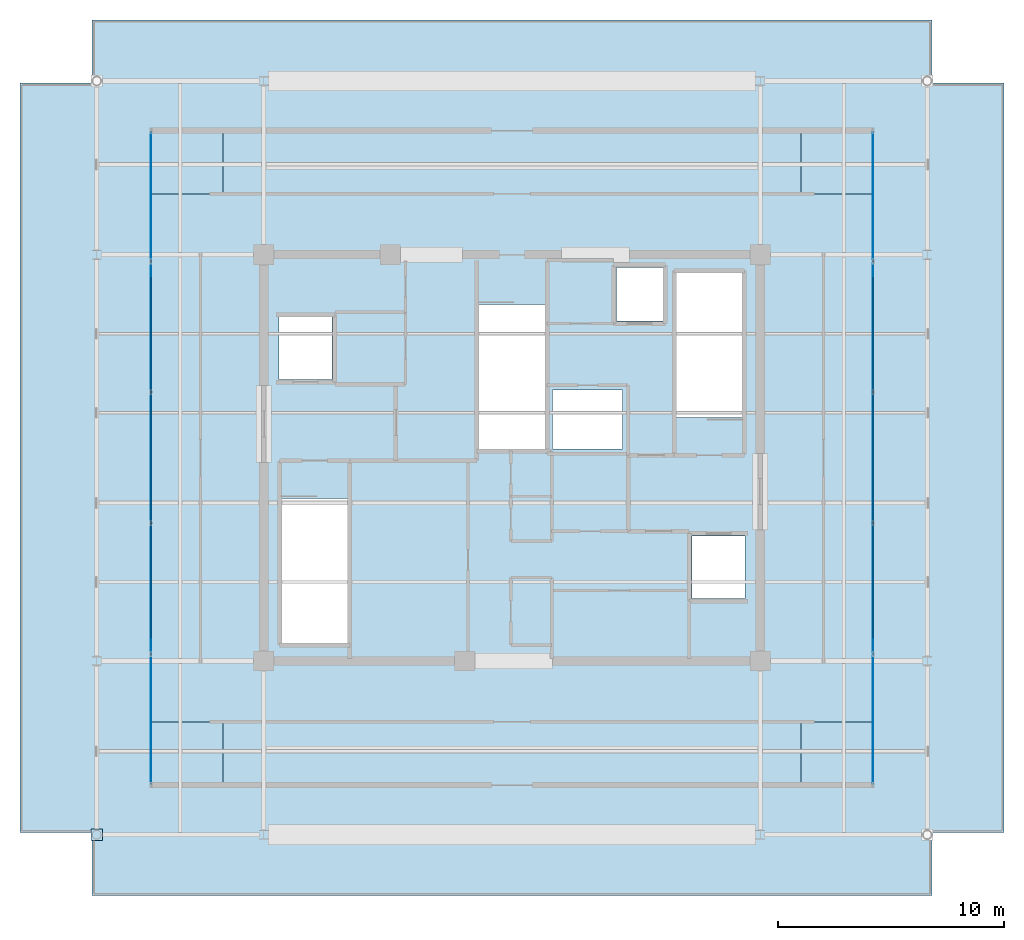
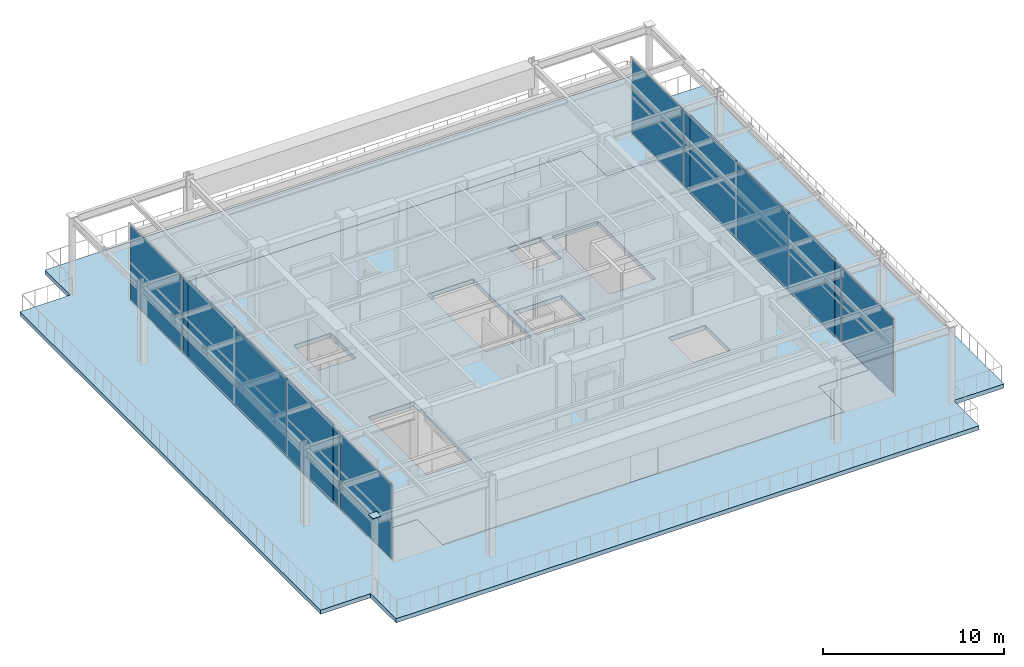
# One storey, part 12 of 16: 13 plates, 2 slabs, 2 elements without a shape of their own.
"""IFC4 building model written with IfcOpenShell, lengths in metres."""

from ifc_helpers import new_model, si_unit, direction, frame, origin, origin_2d, place, context, subcontext, project, spatial, polyline, rectangle, outline, extrude, material, layer, layer_set, type_object, element, aggregate, save


model = new_model("IFC4")

# Units and contexts
model_context = context("Model", 3, precision=1e-05, world=origin(), true_north=direction((0.0, 1.0)))
body_context = subcontext(model_context, "Body", "Model", "MODEL_VIEW")
ifc_project = project(units=[si_unit("LENGTHUNIT", "METRE"), si_unit("AREAUNIT", "SQUARE_METRE"), si_unit("VOLUMEUNIT", "CUBIC_METRE"), si_unit("PLANEANGLEUNIT", "RADIAN"), si_unit("MASSUNIT", "GRAM", prefix="KILO")], contexts=[model_context])

# Site, building, storey
site_placement = place(None, origin())
site = spatial("IfcSite", under=ifc_project, at=site_placement, CompositionType="ELEMENT")
building_placement = place(site_placement, origin())
building = spatial("IfcBuilding", under=site, at=building_placement, Name="Kovane Verandah Tower", CompositionType="ELEMENT")
storey_placement = place(building_placement, frame((0.0, 0.0, 354.300048828125)))
storey = spatial("IfcBuildingStorey", under=building, at=storey_placement, Name="L82", CompositionType="ELEMENT", Elevation=354.300048828125)

# Plate
ifc_material_1 = material(Name="Steel S460", Category="steel")
ifc_layer_1 = layer(ifc_material_1, 0.050048828125)
ifc_layer_set_1 = layer_set([ifc_layer_1], Name="Steel S460")
plate_type_1 = type_object("IfcPlateType", Name="PL-CAP-50", PredefinedType="SHEET", material=ifc_layer_set_1)
plate_1_placement = place(storey_placement, frame((21.60009765625, 10.800048828125, 5.23974609375), z_axis=(0.0, 0.0, 1.0), x_axis=(1.0, 0.0, 0.0)))
element("IfcPlate", 1, at=plate_1_placement, inside=storey, type_object=plate_type_1, Name="L82 MC-SW Hollow Column Cap Plate", PredefinedType="SHEET", context=body_context, shape_type="SweptSolid", body=[
    extrude(rectangle(XDim=0.52001953125, YDim=0.52001953125, at=origin_2d()), origin(), (0.0, 0.0, 1.0), 0.050048828125),
])

# Curtain wall, plates
ifc_material_2 = material(Name="Champagne Anodised Aluminium Frame with Low-E Clear Laminated Glass", Category="aluminium")
curtain_wall_type = type_object("IfcCurtainWallType", Name="CW-SYS-06-CROWN", PredefinedType="NOTDEFINED", material=ifc_material_2)
curtain_wall_1_placement = place(storey_placement, origin())
curtain_wall_1 = element("IfcCurtainWall", 2, at=curtain_wall_1_placement, inside=storey, type_object=curtain_wall_type, Name="L82 Crown Enclosure Curtain Wall W", PredefinedType="NOTDEFINED")
ifc_material_3 = material(Name="Clear Low-E Laminated Double Glazing", Category="glass")
ifc_layer_2 = layer(ifc_material_3, 0.031982421875)
ifc_layer_set_2 = layer_set([ifc_layer_2], Name="Clear Low-E Laminated Double Glazing")
plate_type_2 = type_object("IfcPlateType", Name="PL-CW-VIS-32", PredefinedType="CURTAIN_PANEL", material=ifc_layer_set_2)
plate_2_placement = place(storey_placement, frame((24.0, 39.10009765625, 0.099853515625), z_axis=(0.0, 0.0, 1.0), x_axis=(0.0, -1.0, 0.0)))
plate_2 = element("IfcPlate", 3, at=plate_2_placement, type_object=plate_type_2, Name="L82 Crown Enclosure Curtain Wall W Full-Height Vision Panel 1", PredefinedType="CURTAIN_PANEL", context=body_context, shape_type="SweptSolid", body=[
    extrude(rectangle(XDim=5.659912109375, YDim=0.031982421875, at=origin_2d()), origin(), (0.0, 0.0, 1.0), 5.0400390625),
])
plate_3_placement = place(storey_placement, frame((24.0, 33.300048828125, 0.099853515625), z_axis=(0.0, 0.0, 1.0), x_axis=(0.0, -1.0, 0.0)))
plate_3 = element("IfcPlate", 4, at=plate_3_placement, type_object=plate_type_2, Name="L82 Crown Enclosure Curtain Wall W Full-Height Vision Panel 2", PredefinedType="CURTAIN_PANEL", context=body_context, shape_type="SweptSolid", body=[
    extrude(rectangle(XDim=5.659912109375, YDim=0.031982421875, at=origin_2d()), origin(), (0.0, 0.0, 1.0), 5.0400390625),
])
plate_4_placement = place(storey_placement, frame((24.0, 27.5, 0.099853515625), z_axis=(0.0, 0.0, 1.0), x_axis=(0.0, -1.0, 0.0)))
plate_4 = element("IfcPlate", 5, at=plate_4_placement, type_object=plate_type_2, Name="L82 Crown Enclosure Curtain Wall W Full-Height Vision Panel 3", PredefinedType="CURTAIN_PANEL", context=body_context, shape_type="SweptSolid", body=[
    extrude(rectangle(XDim=5.659912109375, YDim=0.031982421875, at=origin_2d()), origin(), (0.0, 0.0, 1.0), 5.0400390625),
])
plate_5_placement = place(storey_placement, frame((24.0, 21.699951171875, 0.099853515625), z_axis=(0.0, 0.0, 1.0), x_axis=(0.0, -1.0, 0.0)))
plate_5 = element("IfcPlate", 6, at=plate_5_placement, type_object=plate_type_2, Name="L82 Crown Enclosure Curtain Wall W Full-Height Vision Panel 4", PredefinedType="CURTAIN_PANEL", context=body_context, shape_type="SweptSolid", body=[
    extrude(rectangle(XDim=5.659912109375, YDim=0.031982421875, at=origin_2d()), origin(), (0.0, 0.0, 1.0), 5.0400390625),
])
plate_6_placement = place(storey_placement, frame((24.0, 15.89990234375, 0.099853515625), z_axis=(0.0, 0.0, 1.0), x_axis=(0.0, -1.0, 0.0)))
plate_6 = element("IfcPlate", 7, at=plate_6_placement, type_object=plate_type_2, Name="L82 Crown Enclosure Curtain Wall W Full-Height Vision Panel 5", PredefinedType="CURTAIN_PANEL", context=body_context, shape_type="SweptSolid", body=[
    extrude(rectangle(XDim=5.659912109375, YDim=0.031982421875, at=origin_2d()), origin(), (0.0, 0.0, 1.0), 5.0400390625),
])
aggregate(curtain_wall_1, [plate_2, plate_3, plate_4, plate_5, plate_6])

curtain_wall_2_placement = place(storey_placement, origin())
curtain_wall_2 = element("IfcCurtainWall", 8, at=curtain_wall_2_placement, inside=storey, type_object=curtain_wall_type, Name="L82 Crown Enclosure Curtain Wall E", PredefinedType="NOTDEFINED")
plate_7_placement = place(storey_placement, frame((56.0, 15.89990234375, 0.099853515625), z_axis=(0.0, 0.0, 1.0), x_axis=(0.0, 1.0, 0.0)))
plate_7 = element("IfcPlate", 9, at=plate_7_placement, type_object=plate_type_2, Name="L82 Crown Enclosure Curtain Wall E Full-Height Vision Panel 1", PredefinedType="CURTAIN_PANEL", context=body_context, shape_type="SweptSolid", body=[
    extrude(rectangle(XDim=5.659912109375, YDim=0.031982421875, at=origin_2d()), origin(), (0.0, 0.0, 1.0), 5.0400390625),
])
plate_8_placement = place(storey_placement, frame((56.0, 21.699951171875, 0.099853515625), z_axis=(0.0, 0.0, 1.0), x_axis=(0.0, 1.0, 0.0)))
plate_8 = element("IfcPlate", 10, at=plate_8_placement, type_object=plate_type_2, Name="L82 Crown Enclosure Curtain Wall E Full-Height Vision Panel 2", PredefinedType="CURTAIN_PANEL", context=body_context, shape_type="SweptSolid", body=[
    extrude(rectangle(XDim=5.659912109375, YDim=0.031982421875, at=origin_2d()), origin(), (0.0, 0.0, 1.0), 5.0400390625),
])
plate_9_placement = place(storey_placement, frame((56.0, 27.5, 0.099853515625), z_axis=(0.0, 0.0, 1.0), x_axis=(0.0, 1.0, 0.0)))
plate_9 = element("IfcPlate", 11, at=plate_9_placement, type_object=plate_type_2, Name="L82 Crown Enclosure Curtain Wall E Full-Height Vision Panel 3", PredefinedType="CURTAIN_PANEL", context=body_context, shape_type="SweptSolid", body=[
    extrude(rectangle(XDim=5.659912109375, YDim=0.031982421875, at=origin_2d()), origin(), (0.0, 0.0, 1.0), 5.0400390625),
])
plate_10_placement = place(storey_placement, frame((56.0, 33.300048828125, 0.099853515625), z_axis=(0.0, 0.0, 1.0), x_axis=(0.0, 1.0, 0.0)))
plate_10 = element("IfcPlate", 12, at=plate_10_placement, type_object=plate_type_2, Name="L82 Crown Enclosure Curtain Wall E Full-Height Vision Panel 4", PredefinedType="CURTAIN_PANEL", context=body_context, shape_type="SweptSolid", body=[
    extrude(rectangle(XDim=5.659912109375, YDim=0.031982421875, at=origin_2d()), origin(), (0.0, 0.0, 1.0), 5.0400390625),
])
plate_11_placement = place(storey_placement, frame((56.0, 39.10009765625, 0.099853515625), z_axis=(0.0, 0.0, 1.0), x_axis=(0.0, 1.0, 0.0)))
plate_11 = element("IfcPlate", 13, at=plate_11_placement, type_object=plate_type_2, Name="L82 Crown Enclosure Curtain Wall E Full-Height Vision Panel 5", PredefinedType="CURTAIN_PANEL", context=body_context, shape_type="SweptSolid", body=[
    extrude(rectangle(XDim=5.659912109375, YDim=0.031982421875, at=origin_2d()), origin(), (0.0, 0.0, 1.0), 5.0400390625),
])
aggregate(curtain_wall_2, [plate_7, plate_8, plate_9, plate_10, plate_11])

# Plates
ifc_material_4 = material(Name="Cyclone-Rated Acoustic Storm Aluminium Louvre", Category="aluminium")
ifc_layer_3 = layer(ifc_material_4, 0.074951171875)
ifc_layer_set_3 = layer_set([ifc_layer_3], Name="Cyclone-Rated Acoustic Storm Aluminium Louvre")
plate_type_3 = type_object("IfcPlateType", Name="PL-LOUVRE-75", PredefinedType="USERDEFINED", material=ifc_layer_set_3)
for number, where, z_axis, x_axis, name in (
    (14, (24.0, 27.5, -0.02001953125), (0.0, 0.0, 1.0), (0.0, 1.0, 0.0), "L82 Acoustic Crown Plant Louvre W"),
    (15, (56.0, 27.5, -0.02001953125), (0.0, 0.0, 1.0), (0.0, 1.0, 0.0), "L82 Acoustic Crown Plant Louvre E"),
):
    element("IfcPlate", number, at=place(storey_placement, frame(where, z_axis=z_axis, x_axis=x_axis)), inside=storey, type_object=plate_type_3, Name=name, ObjectType="LOUVRE", PredefinedType="USERDEFINED", context=body_context, shape_type="SweptSolid", body=[
        extrude(rectangle(XDim=16.0, YDim=0.074951171875, at=origin_2d()), origin(), (0.0, 0.0, 1.0), 5.280029296875),
    ])

# Slabs
ifc_material_5 = material(Name="Concrete C60/75", Category="concrete")
ifc_layer_4 = layer(ifc_material_5, 0.300048828125)
ifc_layer_set_4 = layer_set([ifc_layer_4], Name="Concrete C60/75")
slab_type_1 = type_object("IfcSlabType", Name="SL-HVY-300", PredefinedType="FLOOR", material=ifc_layer_set_4)
slab_1_placement = place(storey_placement, frame((0.0, 0.0, -0.300048828125)))
element("IfcSlab", 16, at=slab_1_placement, inside=storey, type_object=slab_type_1, Name="L82 Structural Floor Slab", PredefinedType="FLOOR", context=body_context, shape_type="SweptSolid", body=[
    extrude(outline(polyline([(27.199951171875, 13.0), (52.800048828125, 13.0), (52.800048828125, 15.800048828125), (56.0, 15.800048828125), (56.0, 39.199951171875), (52.800048828125, 39.199951171875), (52.800048828125, 42.0), (27.199951171875, 42.0), (27.199951171875, 39.199951171875), (24.0, 39.199951171875), (24.0, 15.800048828125), (27.199951171875, 15.800048828125), (27.199951171875, 13.0)]), holes=[polyline([(29.800048828125, 19.300048828125), (32.719970703125, 19.300048828125), (32.719970703125, 25.705078125), (29.800048828125, 25.705078125), (29.800048828125, 19.300048828125)]), polyline([(47.280029296875, 29.294921875), (50.199951171875, 29.294921875), (50.199951171875, 35.699951171875), (47.280029296875, 35.699951171875), (47.280029296875, 29.294921875)]), polyline([(38.5400390625, 27.89990234375), (41.4599609375, 27.89990234375), (41.4599609375, 34.304931640625), (38.5400390625, 34.304931640625), (38.5400390625, 27.89990234375)]), polyline([(29.669921875, 30.969970703125), (32.030029296875, 30.969970703125), (32.030029296875, 33.72998046875), (29.669921875, 33.72998046875), (29.669921875, 30.969970703125)]), polyline([(47.969970703125, 21.27001953125), (50.330078125, 21.27001953125), (50.330078125, 24.030029296875), (47.969970703125, 24.030029296875), (47.969970703125, 21.27001953125)]), polyline([(44.6201171875, 33.570068359375), (46.679931640625, 33.570068359375), (46.679931640625, 35.929931640625), (44.6201171875, 35.929931640625), (44.6201171875, 33.570068359375)]), polyline([(41.800048828125, 27.89990234375), (44.89990234375, 27.89990234375), (44.89990234375, 30.5), (41.800048828125, 30.5), (41.800048828125, 27.89990234375)])]), origin(), (0.0, 0.0, 1.0), 0.300048828125),
])
ifc_material_6 = material(Name="Concrete C45/55", Category="concrete")
ifc_layer_5 = layer(ifc_material_6, 0.280029296875)
ifc_layer_set_5 = layer_set([ifc_layer_5], Name="Concrete C45/55")
slab_type_2 = type_object("IfcSlabType", Name="SL-LOOKOUT-280", PredefinedType="ROOF", material=ifc_layer_set_5)
slab_2_placement = place(storey_placement, frame((0.0, 0.0, -0.280029296875)))
element("IfcSlab", 17, at=slab_2_placement, inside=storey, type_object=slab_type_2, Name="L82 Open Observation Lookout Terrace", PredefinedType="ROOF", context=body_context, shape_type="SweptSolid", body=[
    extrude(outline(polyline([(21.39990234375, 8.10009765625), (58.60009765625, 8.10009765625), (58.60009765625, 10.89990234375), (61.800048828125, 10.89990234375), (61.800048828125, 44.10009765625), (58.60009765625, 44.10009765625), (58.60009765625, 46.89990234375), (21.39990234375, 46.89990234375), (21.39990234375, 44.10009765625), (18.199951171875, 44.10009765625), (18.199951171875, 10.89990234375), (21.39990234375, 10.89990234375), (21.39990234375, 8.10009765625)]), holes=[polyline([(27.199951171875, 15.800048828125), (24.0, 15.800048828125), (24.0, 39.199951171875), (27.199951171875, 39.199951171875), (27.199951171875, 42.0), (52.800048828125, 42.0), (52.800048828125, 39.199951171875), (56.0, 39.199951171875), (56.0, 15.800048828125), (52.800048828125, 15.800048828125), (52.800048828125, 13.0), (27.199951171875, 13.0), (27.199951171875, 15.800048828125)])]), origin(), (0.0, 0.0, 1.0), 0.280029296875),
])

save(model, "model.ifc")
